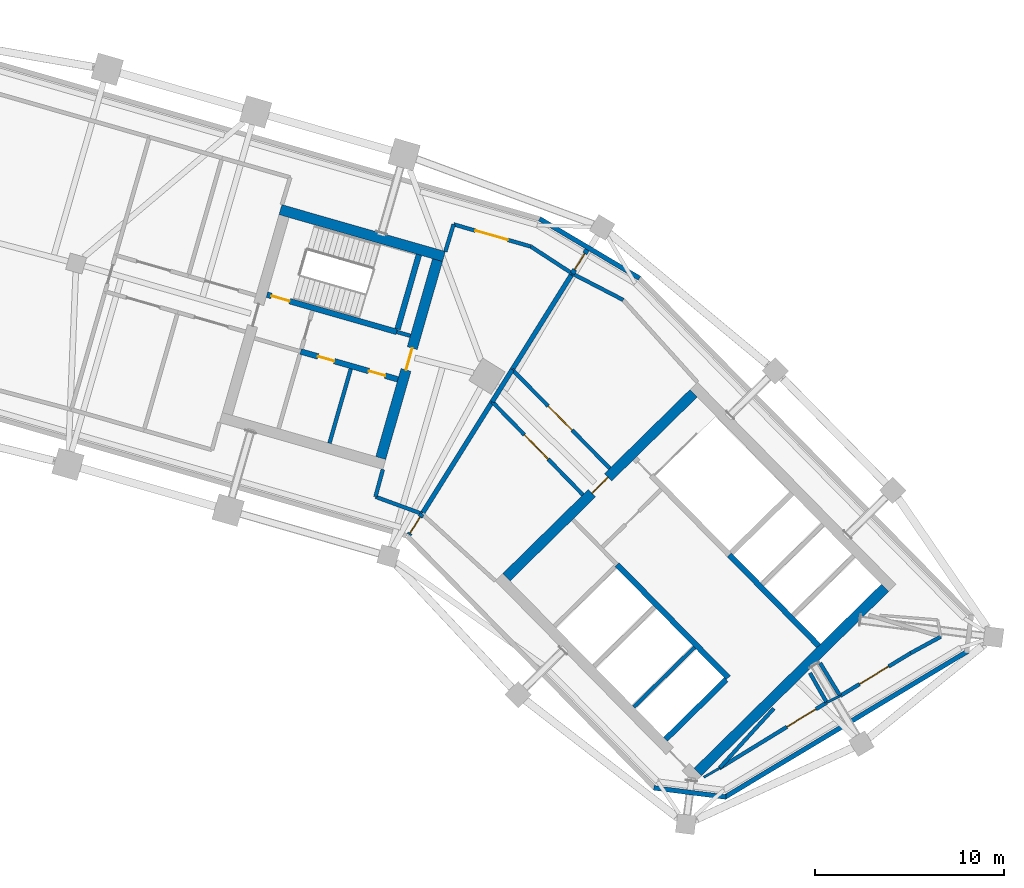
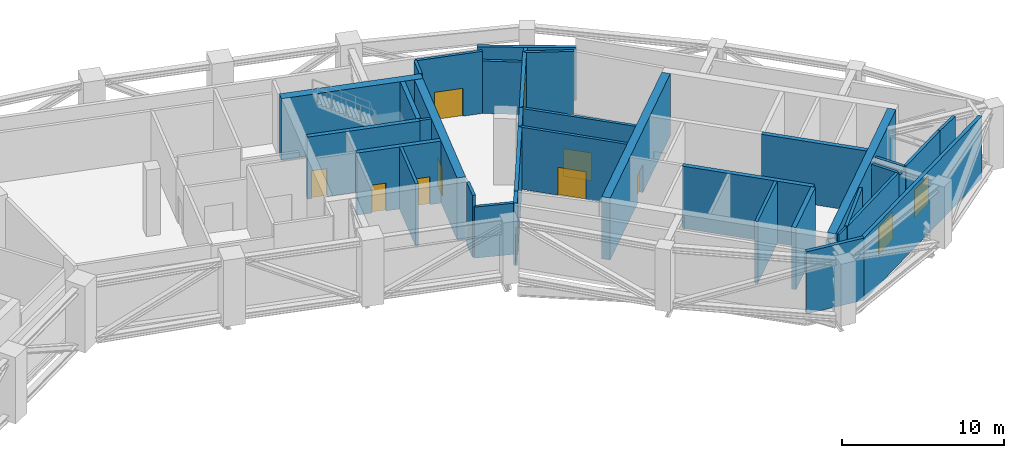
# One storey, part 12 of 16: 37 walls, 12 doors, 12 openings.
"""IFC4 building model written with IfcOpenShell, lengths in metres."""

from ifc_helpers import new_model, si_unit, direction, frame, frame_2d, origin, place, context, subcontext, project, spatial, rectangle, extrude, material, layer, layer_set, type_object, element, fill, save


model = new_model("IFC4")

# Units and contexts
model_context = context("Model", 3, precision=1e-05, world=origin(), true_north=direction((0.0, 1.0)))
body_context = subcontext(model_context, "Body", "Model", "MODEL_VIEW")
ifc_project = project(units=[si_unit("LENGTHUNIT", "METRE"), si_unit("AREAUNIT", "SQUARE_METRE"), si_unit("VOLUMEUNIT", "CUBIC_METRE"), si_unit("PLANEANGLEUNIT", "RADIAN"), si_unit("MASSUNIT", "GRAM", prefix="KILO")], contexts=[model_context])

# Site, building, storey
site_placement = place(None, origin())
site = spatial("IfcSite", under=ifc_project, at=site_placement, CompositionType="ELEMENT")
building_placement = place(site_placement, origin())
building = spatial("IfcBuilding", under=site, at=building_placement, Name="Binnacle Exchange Tower", CompositionType="ELEMENT")
storey_placement = place(building_placement, frame((0.0, 0.0, 149.89990234375)))
storey = spatial("IfcBuildingStorey", under=building, at=storey_placement, Name="L31", CompositionType="ELEMENT", Elevation=149.89990234375)

# Walls
ifc_material_1 = material(Name="Gypsum partition fire rated")
ifc_layer_1 = layer(ifc_material_1, 0.199951171875)
ifc_layer_set_1 = layer_set([ifc_layer_1], Name="Core partition 200")
wall_type_1 = type_object("IfcWallType", Name="Core partition 200", PredefinedType="PARTITIONING", material=ifc_layer_set_1)
wall_1_placement = place(storey_placement, frame((22.65087890625, 47.835205078125, 0.0), z_axis=(0.0, 0.0, 1.0), x_axis=(0.275625388668, 0.961265127383, 0.0)))
element("IfcWall", 1, at=wall_1_placement, inside=storey, type_object=wall_type_1, Name="Core wall CRWD10", PredefinedType="PARTITIONING", context=body_context, shape_type="SweptSolid", body=[
    extrude(rectangle(XDim=4.100341796875, YDim=0.199951171875, at=frame_2d((2.05029296875, 0.0))), origin(), (0.0, 0.0, 1.0), 4.68017578125),
])
ifc_material_2 = material(Name="Concrete C70/85", Category="concrete")
ifc_layer_2 = layer(ifc_material_2, 0.300048828125)
ifc_layer_set_2 = layer_set([ifc_layer_2], Name="Core wall - front 300")
wall_type_2 = type_object("IfcWallType", Name="Core wall - front 300", PredefinedType="SOLIDWALL", material=ifc_layer_set_2)
wall_2_placement = place(storey_placement, frame((37.8740234375, 41.41552734375, 0.0), z_axis=(0.0, 0.0, 1.0), x_axis=(0.700918271237, -0.71324159795, 0.0)))
element("IfcWall", 2, at=wall_2_placement, inside=storey, type_object=wall_type_2, Name="Core wall CRWB3", PredefinedType="SOLIDWALL", context=body_context, shape_type="SweptSolid", body=[
    extrude(rectangle(XDim=8.39990234375, YDim=0.300048828125, at=frame_2d((4.199951171875, 0.0))), origin(), (0.0, 0.0, 1.0), 4.68017578125),
])
wall_3_placement = place(storey_placement, frame((43.818603515625, 41.92919921875, 0.0), z_axis=(0.0, 0.0, 1.0), x_axis=(0.700931209592, -0.713228882912, 0.0)))
element("IfcWall", 3, at=wall_3_placement, inside=storey, type_object=wall_type_2, Name="Core wall CRWB5", PredefinedType="SOLIDWALL", context=body_context, shape_type="SweptSolid", body=[
    extrude(rectangle(XDim=6.75, YDim=0.300048828125, at=frame_2d((3.375, 0.0))), origin(), (0.0, 0.0, 1.0), 4.68017578125),
])
wall_4_placement = place(storey_placement, frame((40.445068359375, 32.1650390625, 0.0), z_axis=(0.0, 0.0, 1.0), x_axis=(0.713264577552, 0.700894886848, 0.0)))
element("IfcWall", 4, at=wall_4_placement, inside=storey, type_object=wall_type_2, Name="Core wall CRWB14", PredefinedType="SOLIDWALL", context=body_context, shape_type="SweptSolid", body=[
    extrude(rectangle(XDim=4.5, YDim=0.300048828125, at=frame_2d((2.25, 0.0))), origin(), (0.0, 0.0, 1.0), 4.68017578125),
])

# Wall, openings, doors
wall_5_placement = place(storey_placement, frame((21.130859375, 52.6923828125, 0.0), z_axis=(0.0, 0.0, 1.0), x_axis=(0.961265220997, -0.27562506218, 0.0)))
wall_5 = element("IfcWall", 5, at=wall_5_placement, inside=storey, type_object=wall_type_2, Name="Core wall CRWD3", PredefinedType="SOLIDWALL", context=body_context, shape_type="SweptSolid", body=[
    extrude(rectangle(XDim=5.35009765625, YDim=0.300048828125, at=frame_2d((2.675048828125, 0.0))), origin(), (0.0, 0.0, 1.0), 4.68017578125),
])
opening_1_placement = place(wall_5_placement, frame((0.949951171875, 0.0, 0.0)))
opening_1 = element("IfcOpeningElement", 6, at=opening_1_placement, cuts=wall_5, Name="Opening DD10", PredefinedType="OPENING", context=body_context, shape_type="SweptSolid", body=[
    extrude(rectangle(XDim=0.89990234375, YDim=2.10009765625, at=frame_2d((0.449951171875, 1.050048828125))), frame((0.0, 0.159912109375, 0.0), z_axis=(0.0, -1.0, 0.0), x_axis=(1.0, 0.0, 0.0)), (0.0, 0.0, 1.0), 0.320068359375),
])
opening_2_placement = place(wall_5_placement, frame((3.75, 0.0, 0.0)))
opening_2 = element("IfcOpeningElement", 7, at=opening_2_placement, cuts=wall_5, Name="Opening DD11", PredefinedType="OPENING", context=body_context, shape_type="SweptSolid", body=[
    extrude(rectangle(XDim=0.89990234375, YDim=2.10009765625, at=frame_2d((0.449951171875, 1.050048828125))), frame((0.0, 0.159912109375, 0.0), z_axis=(0.0, -1.0, 0.0), x_axis=(1.0, 0.0, 0.0)), (0.0, 0.0, 1.0), 0.320068359375),
])
ifc_material_3 = material(Name="Steel door leaf", Category="steel")
door_type_1 = type_object("IfcDoorType", Name="Fire door 900", OperationType="NOTDEFINED", PredefinedType="DOOR", material=ifc_material_3)
door_1_placement = place(opening_1_placement, frame((0.89990234375, 0.0, 0.0), z_axis=(0.0, 0.0, 1.0), x_axis=(-1.0, 0.0, 0.0)))
door_1 = element("IfcDoor", 8, at=door_1_placement, inside=storey, type_object=door_type_1, Name="Core room door COMMS RISER ROOM", OperationType="SINGLE_SWING_RIGHT", OverallHeight=2.10009765625, OverallWidth=0.89990234375, PredefinedType="DOOR", context=body_context, shape_type="SweptSolid", body=[
    extrude(rectangle(XDim=0.89990234375, YDim=2.10009765625, at=frame_2d((0.449951171875, 1.050048828125))), frame((0.0, 0.02490234375, 0.0), z_axis=(0.0, -1.0, 0.0), x_axis=(1.0, 0.0, 0.0)), (0.0, 0.0, 1.0), 0.050048828125),
])
fill(opening_1, door_1)
door_2_placement = place(opening_2_placement, frame((0.89990234375, 0.0, 0.0), z_axis=(0.0, 0.0, 1.0), x_axis=(-1.0, 0.0, 0.0)))
door_2 = element("IfcDoor", 9, at=door_2_placement, inside=storey, type_object=door_type_1, Name="Core room door CLEANERS STORE", OperationType="SINGLE_SWING_LEFT", OverallHeight=2.10009765625, OverallWidth=0.89990234375, PredefinedType="DOOR", context=body_context, shape_type="SweptSolid", body=[
    extrude(rectangle(XDim=0.89990234375, YDim=2.10009765625, at=frame_2d((0.449951171875, 1.050048828125))), frame((0.0, 0.02490234375, 0.0), z_axis=(0.0, -1.0, 0.0), x_axis=(1.0, 0.0, 0.0)), (0.0, 0.0, 1.0), 0.050048828125),
])
fill(opening_2, door_2)

# Wall, opening, door
ifc_layer_3 = layer(ifc_material_2, 0.550048828125)
ifc_layer_set_3 = layer_set([ifc_layer_3], Name="Core wall - outer 550")
wall_type_3 = type_object("IfcWallType", Name="Core wall - outer 550", PredefinedType="SOLIDWALL", material=ifc_layer_set_3)
wall_6_placement = place(storey_placement, frame((32.0166015625, 40.74169921875, 0.0), z_axis=(0.0, 0.0, 1.0), x_axis=(0.713253550094, 0.700906108746, 0.0)))
wall_6 = element("IfcWall", 10, at=wall_6_placement, inside=storey, type_object=wall_type_3, Name="Core wall CRWB7", PredefinedType="SOLIDWALL", context=body_context, shape_type="SweptSolid", body=[
    extrude(rectangle(XDim=13.900146484375, YDim=0.550048828125, at=frame_2d((6.9501953125, 0.0))), origin(), (0.0, 0.0, 1.0), 4.68017578125),
])
opening_3_placement = place(wall_6_placement, frame((6.35009765625, 0.0, 0.0)))
opening_3 = element("IfcOpeningElement", 11, at=opening_3_placement, cuts=wall_6, Name="Opening DB5", PredefinedType="OPENING", context=body_context, shape_type="SweptSolid", body=[
    extrude(rectangle(XDim=1.199951171875, YDim=2.10009765625, at=frame_2d((0.60009765625, 1.050048828125))), frame((0.0, 0.284912109375, 0.0), z_axis=(0.0, -1.0, 0.0), x_axis=(1.0, 0.0, 0.0)), (0.0, 0.0, 1.0), 0.570068359375),
])
door_type_2 = type_object("IfcDoorType", Name="Fire door 1200", OperationType="NOTDEFINED", PredefinedType="DOOR", material=ifc_material_3)
door_3_placement = place(opening_3_placement, origin())
door_3 = element("IfcDoor", 12, at=door_3_placement, inside=storey, type_object=door_type_2, Name="Vestibule exit door VEST-W", OperationType="SINGLE_SWING_RIGHT", OverallHeight=2.10009765625, OverallWidth=1.199951171875, PredefinedType="DOOR", context=body_context, shape_type="SweptSolid", body=[
    extrude(rectangle(XDim=1.199951171875, YDim=2.10009765625, at=frame_2d((0.60009765625, 1.050048828125))), frame((0.0, 0.02490234375, 0.0), z_axis=(0.0, -1.0, 0.0), x_axis=(1.0, 0.0, 0.0)), (0.0, 0.0, 1.0), 0.050048828125),
])
fill(opening_3, door_3)

# Walls
wall_7_placement = place(storey_placement, frame((42.144775390625, 30.435302734375, 0.0), z_axis=(0.0, 0.0, 1.0), x_axis=(0.713253550094, 0.700906108746, 0.0)))
element("IfcWall", 13, at=wall_7_placement, inside=storey, type_object=wall_type_3, Name="Core wall CRWB16", PredefinedType="SOLIDWALL", context=body_context, shape_type="SweptSolid", body=[
    extrude(rectangle(XDim=13.900146484375, YDim=0.550048828125, at=frame_2d((6.9501953125, 0.0))), origin(), (0.0, 0.0, 1.0), 4.68017578125),
])
wall_8_placement = place(storey_placement, frame((20.059814453125, 60.20361328125, 0.0), z_axis=(0.0, 0.0, 1.0), x_axis=(0.96126248289, -0.275634611374, 0.0)))
element("IfcWall", 14, at=wall_8_placement, inside=storey, type_object=wall_type_3, Name="Core wall CRWD6", PredefinedType="SOLIDWALL", context=body_context, shape_type="SweptSolid", body=[
    extrude(rectangle(XDim=9.0, YDim=0.550048828125, at=frame_2d((4.5, 0.0))), origin(), (0.0, 0.0, 1.0), 4.68017578125),
])

# Wall, opening, door
wall_9_placement = place(storey_placement, frame((25.366455078125, 47.056640625, 0.0), z_axis=(0.0, 0.0, 1.0), x_axis=(0.275632146085, 0.96126318979, 0.0)))
wall_9 = element("IfcWall", 15, at=wall_9_placement, inside=storey, type_object=wall_type_3, Name="Core wall CRWD12", PredefinedType="SOLIDWALL", context=body_context, shape_type="SweptSolid", body=[
    extrude(rectangle(XDim=10.89990234375, YDim=0.550048828125, at=frame_2d((5.449951171875, 0.0))), origin(), (0.0, 0.0, 1.0), 4.68017578125),
])
opening_4_placement = place(wall_9_placement, frame((4.849853515625, 0.0, 0.0)))
opening_4 = element("IfcOpeningElement", 16, at=opening_4_placement, cuts=wall_9, Name="Opening DD6", PredefinedType="OPENING", context=body_context, shape_type="SweptSolid", body=[
    extrude(rectangle(XDim=1.199951171875, YDim=2.10009765625, at=frame_2d((0.60009765625, 1.050048828125))), frame((0.0, 0.284912109375, 0.0), z_axis=(0.0, -1.0, 0.0), x_axis=(1.0, 0.0, 0.0)), (0.0, 0.0, 1.0), 0.570068359375),
])
door_4_placement = place(opening_4_placement, frame((1.199951171875, 0.0, 0.0), z_axis=(0.0, 0.0, 1.0), x_axis=(-1.0, 0.0, 0.0)))
door_4 = element("IfcDoor", 17, at=door_4_placement, inside=storey, type_object=door_type_2, Name="Core passage exit door", OperationType="SINGLE_SWING_RIGHT", OverallHeight=2.10009765625, OverallWidth=1.199951171875, PredefinedType="DOOR", context=body_context, shape_type="SweptSolid", body=[
    extrude(rectangle(XDim=1.199951171875, YDim=2.10009765625, at=frame_2d((0.60009765625, 1.050048828125))), frame((0.0, 0.02490234375, 0.0), z_axis=(0.0, -1.0, 0.0), x_axis=(1.0, 0.0, 0.0)), (0.0, 0.0, 1.0), 0.050048828125),
])
fill(opening_4, door_4)

ifc_layer_4 = layer(ifc_material_2, 0.300048828125)
ifc_layer_set_4 = layer_set([ifc_layer_4], Name="Core wall - stair 300")
wall_type_4 = type_object("IfcWallType", Name="Core wall - stair 300", PredefinedType="SOLIDWALL", material=ifc_layer_set_4)
wall_10_placement = place(storey_placement, frame((19.34130859375, 55.702392578125, 0.0), z_axis=(0.0, 0.0, 1.0), x_axis=(0.961263228157, -0.27563201228, 0.0)))
wall_10 = element("IfcWall", 18, at=wall_10_placement, inside=storey, type_object=wall_type_4, Name="Core wall CRWD4", PredefinedType="SOLIDWALL", context=body_context, shape_type="SweptSolid", body=[
    extrude(rectangle(XDim=7.149658203125, YDim=0.300048828125, at=frame_2d((3.57470703125, 0.0))), origin(), (0.0, 0.0, 1.0), 4.68017578125),
])
opening_5_placement = place(wall_10_placement, frame((0.25, 0.0, 0.0)))
opening_5 = element("IfcOpeningElement", 19, at=opening_5_placement, cuts=wall_10, Name="Opening DD1", PredefinedType="OPENING", context=body_context, shape_type="SweptSolid", body=[
    extrude(rectangle(XDim=1.0, YDim=2.10009765625, at=frame_2d((0.5, 1.050048828125))), frame((0.0, 0.159912109375, 0.0), z_axis=(0.0, -1.0, 0.0), x_axis=(1.0, 0.0, 0.0)), (0.0, 0.0, 1.0), 0.320068359375),
])
door_type_3 = type_object("IfcDoorType", Name="Fire door 1000", OperationType="NOTDEFINED", PredefinedType="DOOR", material=ifc_material_3)
door_5_placement = place(opening_5_placement, origin())
door_5 = element("IfcDoor", 20, at=door_5_placement, inside=storey, type_object=door_type_3, Name="Stair door ST-D1", OperationType="SINGLE_SWING_LEFT", OverallHeight=2.10009765625, OverallWidth=1.0, PredefinedType="DOOR", context=body_context, shape_type="SweptSolid", body=[
    extrude(rectangle(XDim=1.0, YDim=2.10009765625, at=frame_2d((0.5, 1.050048828125))), frame((0.0, 0.02490234375, 0.0), z_axis=(0.0, -1.0, 0.0), x_axis=(1.0, 0.0, 0.0)), (0.0, 0.0, 1.0), 0.050048828125),
])
fill(opening_5, door_5)

# Walls
wall_11_placement = place(storey_placement, frame((26.255615234375, 53.875732421875, 0.0), z_axis=(0.0, 0.0, 1.0), x_axis=(0.275641165445, 0.961260603537, 0.0)))
element("IfcWall", 21, at=wall_11_placement, inside=storey, type_object=wall_type_4, Name="Core wall CRWD11", PredefinedType="SOLIDWALL", context=body_context, shape_type="SweptSolid", body=[
    extrude(rectangle(XDim=4.10009765625, YDim=0.300048828125, at=frame_2d((2.050048828125, 0.0))), origin(), (0.0, 0.0, 1.0), 4.68017578125),
])
ifc_material_4 = material(Name="Bronze aluminium louvre", Category="aluminium")
ifc_layer_5 = layer(ifc_material_4, 0.25)
ifc_layer_set_5 = layer_set([ifc_layer_5], Name="External wall - plant floor louvre 250")
wall_type_5 = type_object("IfcWallType", Name="External wall - plant floor louvre 250", PredefinedType="STANDARD", material=ifc_layer_set_5)
wall_12_placement = place(storey_placement, frame((43.642578125, 29.1083984375, 0.0), z_axis=(0.0, 0.0, 1.0), x_axis=(-0.992006284618, 0.126188475223, 0.0)))
element("IfcWall", 22, at=wall_12_placement, inside=storey, type_object=wall_type_5, Name="External wall EW-Fm09 L31", PredefinedType="STANDARD", context=body_context, shape_type="SweptSolid", body=[
    extrude(rectangle(XDim=3.85009765625, YDim=0.25, at=frame_2d((1.925048828125, 0.0))), origin(), (0.0, 0.0, 1.0), 4.68017578125),
])
wall_13_placement = place(storey_placement, frame((56.44091796875, 36.829833984375, 0.0), z_axis=(0.0, 0.0, 1.0), x_axis=(-0.857162979594, -0.515045266374, 0.0)))
element("IfcWall", 23, at=wall_13_placement, inside=storey, type_object=wall_type_5, Name="External wall EW-Fm10 L31", PredefinedType="STANDARD", context=body_context, shape_type="SweptSolid", body=[
    extrude(rectangle(XDim=15.0244140625, YDim=0.25, at=frame_2d((7.51220703125, 0.0))), origin(), (0.0, 0.0, 1.0), 4.68017578125),
])
wall_14_placement = place(storey_placement, frame((33.775634765625, 59.718505859375, 0.0), z_axis=(0.0, 0.0, 1.0), x_axis=(0.859411998598, -0.511283694896, 0.0)))
element("IfcWall", 24, at=wall_14_placement, inside=storey, type_object=wall_type_5, Name="External wall EW-Fm13 L31", PredefinedType="STANDARD", context=body_context, shape_type="SweptSolid", body=[
    extrude(rectangle(XDim=6.154541015625, YDim=0.25, at=frame_2d((3.0771484375, 0.0))), origin(), (0.0, 0.0, 1.0), 3.97216796875),
])
ifc_material_5 = material(Name="Masonry block wall", Category="masonry")
ifc_layer_6 = layer(ifc_material_5, 0.199951171875)
ifc_layer_set_6 = layer_set([ifc_layer_6], Name="Fire wall - block 200")
wall_type_6 = type_object("IfcWallType", Name="Fire wall - block 200", PredefinedType="PARTITIONING", material=ifc_layer_set_6)
wall_15_placement = place(storey_placement, frame((25.087890625, 45.00390625, 0.0), z_axis=(0.0, 0.0, 1.0), x_axis=(0.260761429939, 0.965403271517, 0.0)))
element("IfcWall", 25, at=wall_15_placement, inside=storey, type_object=wall_type_6, Name="Partition W56", PredefinedType="PARTITIONING", context=body_context, shape_type="SweptSolid", body=[
    extrude(rectangle(XDim=1.5, YDim=0.199951171875, at=frame_2d((0.75, 0.0))), origin(), (0.0, 0.0, 1.0), 4.68017578125),
])
wall_16_placement = place(storey_placement, frame((25.087890625, 45.00390625, 0.0), z_axis=(0.0, 0.0, 1.0), x_axis=(0.93889532653, -0.344202797519, 0.0)))
element("IfcWall", 26, at=wall_16_placement, inside=storey, type_object=wall_type_6, Name="Partition W57", PredefinedType="PARTITIONING", context=body_context, shape_type="SweptSolid", body=[
    extrude(rectangle(XDim=2.628662109375, YDim=0.199951171875, at=frame_2d((1.314453125, 0.0))), origin(), (0.0, 0.0, 1.0), 3.85205078125),
])
wall_17_placement = place(storey_placement, frame((28.787109375, 57.987060546875, 0.0), z_axis=(0.0, 0.0, 1.0), x_axis=(0.290391164202, 0.9569080268, 0.0)))
element("IfcWall", 27, at=wall_17_placement, inside=storey, type_object=wall_type_6, Name="Partition W61", PredefinedType="PARTITIONING", context=body_context, shape_type="SweptSolid", body=[
    extrude(rectangle(XDim=1.500732421875, YDim=0.199951171875, at=frame_2d((0.75048828125, 0.0))), origin(), (0.0, 0.0, 1.0), 4.68017578125),
])

# Wall, opening, door
wall_18_placement = place(storey_placement, frame((29.222900390625, 59.423095703125, 0.0), z_axis=(0.0, 0.0, 1.0), x_axis=(0.961217704803, -0.27579072496, 0.0)))
wall_18 = element("IfcWall", 28, at=wall_18_placement, inside=storey, type_object=wall_type_6, Name="Partition W62", PredefinedType="PARTITIONING", context=body_context, shape_type="SweptSolid", body=[
    extrude(rectangle(XDim=4.25, YDim=0.199951171875, at=frame_2d((2.125, 0.0))), origin(), (0.0, 0.0, 1.0), 4.68017578125),
])
opening_6_placement = place(wall_18_placement, frame((1.199951171875, 0.0, 0.0)))
opening_6 = element("IfcOpeningElement", 29, at=opening_6_placement, cuts=wall_18, Name="Opening DL31-16", PredefinedType="OPENING", context=body_context, shape_type="SweptSolid", body=[
    extrude(rectangle(XDim=1.800048828125, YDim=2.10009765625, at=frame_2d((0.89990234375, 1.050048828125))), frame((0.0, 0.10986328125, 0.0), z_axis=(0.0, -1.0, 0.0), x_axis=(1.0, 0.0, 0.0)), (0.0, 0.0, 1.0), 0.219970703125),
])
door_type_4 = type_object("IfcDoorType", Name="Fire door 1800", OperationType="NOTDEFINED", PredefinedType="DOOR", material=ifc_material_3)
door_6_placement = place(opening_6_placement, frame((1.800048828125, 0.0, 0.0), z_axis=(0.0, 0.0, 1.0), x_axis=(-1.0, 0.0, 0.0)))
door_6 = element("IfcDoor", 30, at=door_6_placement, inside=storey, type_object=door_type_4, Name="Door DL31-16", OperationType="DOUBLE_DOOR_SINGLE_SWING", OverallHeight=2.10009765625, OverallWidth=1.800048828125, PredefinedType="DOOR", context=body_context, shape_type="SweptSolid", body=[
    extrude(rectangle(XDim=1.800048828125, YDim=2.10009765625, at=frame_2d((0.89990234375, 1.050048828125))), frame((0.0, 0.02490234375, 0.0), z_axis=(0.0, -1.0, 0.0), x_axis=(1.0, 0.0, 0.0)), (0.0, 0.0, 1.0), 0.050048828125),
])
fill(opening_6, door_6)

wall_19_placement = place(storey_placement, frame((31.264892578125, 50.034912109375, 0.0), z_axis=(0.0, 0.0, 1.0), x_axis=(0.698055115478, -0.716044031995, 0.0)))
wall_19 = element("IfcWall", 31, at=wall_19_placement, inside=storey, type_object=wall_type_6, Name="Partition W64", PredefinedType="PARTITIONING", context=body_context, shape_type="SweptSolid", body=[
    extrude(rectangle(XDim=6.880859375, YDim=0.199951171875, at=frame_2d((3.4404296875, 0.0))), origin(), (0.0, 0.0, 1.0), 4.68017578125),
])
opening_7_placement = place(wall_19_placement, frame((2.449951171875, 0.0, 0.0)))
opening_7 = element("IfcOpeningElement", 32, at=opening_7_placement, cuts=wall_19, Name="Opening DL31-18", PredefinedType="OPENING", context=body_context, shape_type="SweptSolid", body=[
    extrude(rectangle(XDim=1.800048828125, YDim=2.10009765625, at=frame_2d((0.89990234375, 1.050048828125))), frame((0.0, 0.10986328125, 0.0), z_axis=(0.0, -1.0, 0.0), x_axis=(1.0, 0.0, 0.0)), (0.0, 0.0, 1.0), 0.219970703125),
])
door_7_placement = place(opening_7_placement, frame((1.800048828125, 0.0, 0.0), z_axis=(0.0, 0.0, 1.0), x_axis=(-1.0, 0.0, 0.0)))
door_7 = element("IfcDoor", 33, at=door_7_placement, inside=storey, type_object=door_type_4, Name="Door DL31-18", OperationType="DOUBLE_DOOR_SINGLE_SWING", OverallHeight=2.10009765625, OverallWidth=1.800048828125, PredefinedType="DOOR", context=body_context, shape_type="SweptSolid", body=[
    extrude(rectangle(XDim=1.800048828125, YDim=2.10009765625, at=frame_2d((0.89990234375, 1.050048828125))), frame((0.0, 0.02490234375, 0.0), z_axis=(0.0, -1.0, 0.0), x_axis=(1.0, 0.0, 0.0)), (0.0, 0.0, 1.0), 0.050048828125),
])
fill(opening_7, door_7)

wall_20_placement = place(storey_placement, frame((32.324951171875, 51.73095703125, 0.0), z_axis=(0.0, 0.0, 1.0), x_axis=(0.703558862732, -0.710636986563, 0.0)))
wall_20 = element("IfcWall", 34, at=wall_20_placement, inside=storey, type_object=wall_type_6, Name="Partition W66", PredefinedType="PARTITIONING", context=body_context, shape_type="SweptSolid", body=[
    extrude(rectangle(XDim=7.346923828125, YDim=0.199951171875, at=frame_2d((3.67333984375, 0.0))), origin(), (0.0, 0.0, 1.0), 4.68017578125),
])
opening_8_placement = place(wall_20_placement, frame((2.699951171875, 0.0, 0.0)))
opening_8 = element("IfcOpeningElement", 35, at=opening_8_placement, cuts=wall_20, Name="Opening DL31-17", PredefinedType="OPENING", context=body_context, shape_type="SweptSolid", body=[
    extrude(rectangle(XDim=1.800048828125, YDim=2.10009765625, at=frame_2d((0.89990234375, 1.050048828125))), frame((0.0, 0.10986328125, 0.0), z_axis=(0.0, -1.0, 0.0), x_axis=(1.0, 0.0, 0.0)), (0.0, 0.0, 1.0), 0.219970703125),
])
door_8_placement = place(opening_8_placement, origin())
door_8 = element("IfcDoor", 36, at=door_8_placement, inside=storey, type_object=door_type_4, Name="Door DL31-17", OperationType="DOUBLE_DOOR_SINGLE_SWING", OverallHeight=2.10009765625, OverallWidth=1.800048828125, PredefinedType="DOOR", context=body_context, shape_type="SweptSolid", body=[
    extrude(rectangle(XDim=1.800048828125, YDim=2.10009765625, at=frame_2d((0.89990234375, 1.050048828125))), frame((0.0, 0.02490234375, 0.0), z_axis=(0.0, -1.0, 0.0), x_axis=(1.0, 0.0, 0.0)), (0.0, 0.0, 1.0), 0.050048828125),
])
fill(opening_8, door_8)

# Walls
wall_21_placement = place(storey_placement, frame((33.30810546875, 58.2509765625, 0.0), z_axis=(0.0, 0.0, 1.0), x_axis=(0.837749484824, -0.546054759779, 0.0)))
element("IfcWall", 37, at=wall_21_placement, inside=storey, type_object=wall_type_6, Name="Partition W67", PredefinedType="PARTITIONING", context=body_context, shape_type="SweptSolid", body=[
    extrude(rectangle(XDim=2.622314453125, YDim=0.199951171875, at=frame_2d((1.31103515625, 0.0))), origin(), (0.0, 0.0, 1.0), 3.9521484375),
])
wall_22_placement = place(storey_placement, frame((35.5048828125, 56.819091796875, 0.0), z_axis=(0.0, 0.0, 1.0), x_axis=(0.887881146957, -0.460072895179, 0.0)))
element("IfcWall", 38, at=wall_22_placement, inside=storey, type_object=wall_type_6, Name="Partition W69", PredefinedType="PARTITIONING", context=body_context, shape_type="SweptSolid", body=[
    extrude(rectangle(XDim=3.0341796875, YDim=0.199951171875, at=frame_2d((1.51708984375, 0.0))), origin(), (0.0, 0.0, 1.0), 4.68017578125),
])

# Wall, opening, door
wall_23_placement = place(storey_placement, frame((43.285888671875, 30.62890625, 0.0), z_axis=(0.0, 0.0, 1.0), x_axis=(0.852618082173, 0.522534597852, 0.0)))
wall_23 = element("IfcWall", 39, at=wall_23_placement, inside=storey, type_object=wall_type_6, Name="Partition W72", PredefinedType="PARTITIONING", context=body_context, shape_type="SweptSolid", body=[
    extrude(rectangle(XDim=6.67138671875, YDim=0.199951171875, at=frame_2d((3.335693359375, 0.0))), origin(), (0.0, 0.0, 1.0), 4.68017578125),
])
opening_9_placement = place(wall_23_placement, frame((4.199951171875, 0.0, 0.0)))
opening_9 = element("IfcOpeningElement", 40, at=opening_9_placement, cuts=wall_23, Name="Opening DL31-21", PredefinedType="OPENING", context=body_context, shape_type="SweptSolid", body=[
    extrude(rectangle(XDim=1.800048828125, YDim=2.10009765625, at=frame_2d((0.89990234375, 1.050048828125))), frame((0.0, 0.10986328125, 0.0), z_axis=(0.0, -1.0, 0.0), x_axis=(1.0, 0.0, 0.0)), (0.0, 0.0, 1.0), 0.219970703125),
])
door_9_placement = place(opening_9_placement, origin())
door_9 = element("IfcDoor", 41, at=door_9_placement, inside=storey, type_object=door_type_4, Name="Door DL31-21", OperationType="DOUBLE_DOOR_SINGLE_SWING", OverallHeight=2.10009765625, OverallWidth=1.800048828125, PredefinedType="DOOR", context=body_context, shape_type="SweptSolid", body=[
    extrude(rectangle(XDim=1.800048828125, YDim=2.10009765625, at=frame_2d((0.89990234375, 1.050048828125))), frame((0.0, 0.02490234375, 0.0), z_axis=(0.0, -1.0, 0.0), x_axis=(1.0, 0.0, 0.0)), (0.0, 0.0, 1.0), 0.050048828125),
])
fill(opening_9, door_9)

# Walls
wall_24_placement = place(storey_placement, frame((43.31689453125, 30.6630859375, 0.0), z_axis=(0.0, 0.0, 1.0), x_axis=(0.673505359067, 0.739182339689, 0.0)))
element("IfcWall", 42, at=wall_24_placement, inside=storey, type_object=wall_type_6, Name="Partition W73", PredefinedType="PARTITIONING", context=body_context, shape_type="SweptSolid", body=[
    extrude(rectangle(XDim=4.2451171875, YDim=0.199951171875, at=frame_2d((2.12255859375, 0.0))), origin(), (0.0, 0.0, 1.0), 4.68017578125),
])
wall_25_placement = place(storey_placement, frame((48.0849609375, 35.677001953125, 0.0), z_axis=(0.0, 0.0, 1.0), x_axis=(0.494821324482, -0.868994739246, 0.0)))
element("IfcWall", 43, at=wall_25_placement, inside=storey, type_object=wall_type_6, Name="Partition W74", PredefinedType="PARTITIONING", context=body_context, shape_type="SweptSolid", body=[
    extrude(rectangle(XDim=1.776611328125, YDim=0.199951171875, at=frame_2d((0.88818359375, 0.0))), origin(), (0.0, 0.0, 1.0), 4.68017578125),
])
wall_26_placement = place(storey_placement, frame((48.623046875, 36.2060546875, 0.0), z_axis=(0.0, 0.0, 1.0), x_axis=(0.519728419687, -0.854331533873, 0.0)))
element("IfcWall", 44, at=wall_26_placement, inside=storey, type_object=wall_type_6, Name="Partition W75", PredefinedType="PARTITIONING", context=body_context, shape_type="SweptSolid", body=[
    extrude(rectangle(XDim=2.020263671875, YDim=0.199951171875, at=frame_2d((1.01025390625, 0.0))), origin(), (0.0, 0.0, 1.0), 4.68017578125),
])

# Wall, opening, door
wall_27_placement = place(storey_placement, frame((49.68408203125, 34.462890625, 0.0), z_axis=(0.0, 0.0, 1.0), x_axis=(0.854856618014, 0.518864300794, 0.0)))
wall_27 = element("IfcWall", 45, at=wall_27_placement, inside=storey, type_object=wall_type_6, Name="Partition W77", PredefinedType="PARTITIONING", context=body_context, shape_type="SweptSolid", body=[
    extrude(rectangle(XDim=4.365478515625, YDim=0.199951171875, at=frame_2d((2.1826171875, 0.0))), origin(), (0.0, 0.0, 1.0), 4.68017578125),
])
opening_10_placement = place(wall_27_placement, frame((1.199951171875, 0.0, 0.0)))
opening_10 = element("IfcOpeningElement", 46, at=opening_10_placement, cuts=wall_27, Name="Opening DL31-19", PredefinedType="OPENING", context=body_context, shape_type="SweptSolid", body=[
    extrude(rectangle(XDim=1.800048828125, YDim=2.10009765625, at=frame_2d((0.89990234375, 1.050048828125))), frame((0.0, 0.10986328125, 0.0), z_axis=(0.0, -1.0, 0.0), x_axis=(1.0, 0.0, 0.0)), (0.0, 0.0, 1.0), 0.219970703125),
])
door_10_placement = place(opening_10_placement, origin())
door_10 = element("IfcDoor", 47, at=door_10_placement, inside=storey, type_object=door_type_4, Name="Door DL31-19", OperationType="DOUBLE_DOOR_SINGLE_SWING", OverallHeight=2.10009765625, OverallWidth=1.800048828125, PredefinedType="DOOR", context=body_context, shape_type="SweptSolid", body=[
    extrude(rectangle(XDim=1.800048828125, YDim=2.10009765625, at=frame_2d((0.89990234375, 1.050048828125))), frame((0.0, 0.02490234375, 0.0), z_axis=(0.0, -1.0, 0.0), x_axis=(1.0, 0.0, 0.0)), (0.0, 0.0, 1.0), 0.050048828125),
])
fill(opening_10, door_10)

# Wall
wall_28_placement = place(storey_placement, frame((53.416015625, 36.72802734375, 0.0), z_axis=(0.0, 0.0, 1.0), x_axis=(0.878412781822, 0.47790269379, 0.0)))
element("IfcWall", 48, at=wall_28_placement, inside=storey, type_object=wall_type_6, Name="Partition W80", PredefinedType="PARTITIONING", context=body_context, shape_type="SweptSolid", body=[
    extrude(rectangle(XDim=1.820068359375, YDim=0.199951171875, at=frame_2d((0.91015625, 0.0))), origin(), (0.0, 0.0, 1.0), 4.68017578125),
])

# Wall, opening, door
ifc_material_6 = material(Name="Concrete fire wall C30/37", Category="concrete")
ifc_layer_7 = layer(ifc_material_6, 0.25)
ifc_layer_set_7 = layer_set([ifc_layer_7], Name="Fire wall - compartment 250")
wall_type_7 = type_object("IfcWallType", Name="Fire wall - compartment 250", PredefinedType="PARTITIONING", material=ifc_layer_set_7)
wall_29_placement = place(storey_placement, frame((26.866943359375, 42.99609375, 0.0), z_axis=(0.0, 0.0, 1.0), x_axis=(0.529762680017, 0.848145920736, 0.0)))
wall_29 = element("IfcWall", 49, at=wall_29_placement, inside=storey, type_object=wall_type_7, Name="Fire Wall W58", PredefinedType="PARTITIONING", context=body_context, shape_type="SweptSolid", body=[
    extrude(rectangle(XDim=1.300537109375, YDim=0.25, at=frame_2d((0.650390625, 0.0))), origin(), (0.0, 0.0, 1.0), 4.68017578125),
])
opening_11_placement = place(wall_29_placement, frame((0.10009765625, 0.0, 0.0)))
opening_11 = element("IfcOpeningElement", 50, at=opening_11_placement, cuts=wall_29, Name="Opening DL31-24", PredefinedType="OPENING", context=body_context, shape_type="SweptSolid", body=[
    extrude(rectangle(XDim=1.0, YDim=2.10009765625, at=frame_2d((0.5, 1.050048828125))), frame((0.0, 0.135009765625, 0.0), z_axis=(0.0, -1.0, 0.0), x_axis=(1.0, 0.0, 0.0)), (0.0, 0.0, 1.0), 0.27001953125),
])
door_11_placement = place(opening_11_placement, origin())
door_11 = element("IfcDoor", 51, at=door_11_placement, inside=storey, type_object=door_type_3, Name="Door DL31-24", OperationType="SINGLE_SWING_LEFT", OverallHeight=2.10009765625, OverallWidth=1.0, PredefinedType="DOOR", context=body_context, shape_type="SweptSolid", body=[
    extrude(rectangle(XDim=1.0, YDim=2.10009765625, at=frame_2d((0.5, 1.050048828125))), frame((0.0, 0.02490234375, 0.0), z_axis=(0.0, -1.0, 0.0), x_axis=(1.0, 0.0, 0.0)), (0.0, 0.0, 1.0), 0.050048828125),
])
fill(opening_11, door_11)

# Walls
wall_30_placement = place(storey_placement, frame((27.555908203125, 44.09912109375, 0.0), z_axis=(0.0, 0.0, 1.0), x_axis=(0.529908011914, 0.848055127282, 0.0)))
element("IfcWall", 52, at=wall_30_placement, inside=storey, type_object=wall_type_7, Name="Fire Wall W59", PredefinedType="PARTITIONING", context=body_context, shape_type="SweptSolid", body=[
    extrude(rectangle(XDim=6.999267578125, YDim=0.25, at=frame_2d((3.49951171875, 0.0))), origin(), (0.0, 0.0, 1.0), 4.68017578125),
])
wall_31_placement = place(storey_placement, frame((31.264892578125, 50.034912109375, 0.0), z_axis=(0.0, 0.0, 1.0), x_axis=(0.53000991217, 0.847991446302, 0.0)))
element("IfcWall", 53, at=wall_31_placement, inside=storey, type_object=wall_type_7, Name="Fire Wall W63", PredefinedType="PARTITIONING", context=body_context, shape_type="SweptSolid", body=[
    extrude(rectangle(XDim=2.0, YDim=0.25, at=frame_2d((1.0, 0.0))), origin(), (0.0, 0.0, 1.0), 4.68017578125),
])
wall_32_placement = place(storey_placement, frame((32.324951171875, 51.73095703125, 0.0), z_axis=(0.0, 0.0, 1.0), x_axis=(0.529980652467, 0.848009733441, 0.0)))
element("IfcWall", 54, at=wall_32_placement, inside=storey, type_object=wall_type_7, Name="Fire Wall W65", PredefinedType="PARTITIONING", context=body_context, shape_type="SweptSolid", body=[
    extrude(rectangle(XDim=6.0, YDim=0.25, at=frame_2d((3.0, 0.0))), origin(), (0.0, 0.0, 1.0), 4.68017578125),
])

# Wall, opening, door
wall_33_placement = place(storey_placement, frame((35.5048828125, 56.819091796875, 0.0), z_axis=(0.0, 0.0, 1.0), x_axis=(0.529998940003, 0.847998304005, 0.0)))
wall_33 = element("IfcWall", 55, at=wall_33_placement, inside=storey, type_object=wall_type_7, Name="Fire Wall W68", PredefinedType="PARTITIONING", context=body_context, shape_type="SweptSolid", body=[
    extrude(rectangle(XDim=1.483154296875, YDim=0.25, at=frame_2d((0.74169921875, 0.0))), origin(), (0.0, 0.0, 1.0), 3.9521484375),
])
opening_12_placement = place(wall_33_placement, frame((0.25, 0.0, 0.0)))
opening_12 = element("IfcOpeningElement", 56, at=opening_12_placement, cuts=wall_33, Name="Opening DL31-25", PredefinedType="OPENING", context=body_context, shape_type="SweptSolid", body=[
    extrude(rectangle(XDim=1.0, YDim=2.10009765625, at=frame_2d((0.5, 1.050048828125))), frame((0.0, 0.135009765625, 0.0), z_axis=(0.0, -1.0, 0.0), x_axis=(1.0, 0.0, 0.0)), (0.0, 0.0, 1.0), 0.27001953125),
])
door_12_placement = place(opening_12_placement, origin())
door_12 = element("IfcDoor", 57, at=door_12_placement, inside=storey, type_object=door_type_3, Name="Door DL31-25", OperationType="SINGLE_SWING_RIGHT", OverallHeight=2.10009765625, OverallWidth=1.0, PredefinedType="DOOR", context=body_context, shape_type="SweptSolid", body=[
    extrude(rectangle(XDim=1.0, YDim=2.10009765625, at=frame_2d((0.5, 1.050048828125))), frame((0.0, 0.02490234375, 0.0), z_axis=(0.0, -1.0, 0.0), x_axis=(1.0, 0.0, 0.0)), (0.0, 0.0, 1.0), 0.050048828125),
])
fill(opening_12, door_12)

# Walls
ifc_material_7 = material(Name="Gypsum partition")
ifc_layer_8 = layer(ifc_material_7, 0.125)
ifc_layer_set_8 = layer_set([ifc_layer_8], Name="Partition 125")
wall_type_8 = type_object("IfcWallType", Name="Partition 125", PredefinedType="PARTITIONING", material=ifc_layer_set_8)
wall_34_placement = place(storey_placement, frame((42.466064453125, 30.155029296875, 0.0), z_axis=(0.0, 0.0, 1.0), x_axis=(0.865942754999, 0.50014312458, 0.0)))
element("IfcWall", 58, at=wall_34_placement, inside=storey, type_object=wall_type_8, Name="Partition W71", PredefinedType="PARTITIONING", context=body_context, shape_type="SweptSolid", body=[
    extrude(rectangle(XDim=0.937744140625, YDim=0.125, at=frame_2d((0.46875, 0.0))), origin(), (0.0, 0.0, 1.0), 4.68017578125),
])
wall_35_placement = place(storey_placement, frame((48.98291015625, 34.1201171875, 0.0), z_axis=(0.0, 0.0, 1.0), x_axis=(0.898634361746, 0.43869839741, 0.0)))
element("IfcWall", 59, at=wall_35_placement, inside=storey, type_object=wall_type_8, Name="Partition W76", PredefinedType="PARTITIONING", context=body_context, shape_type="SweptSolid", body=[
    extrude(rectangle(XDim=0.770263671875, YDim=0.125, at=frame_2d((0.38525390625, 0.0))), origin(), (0.0, 0.0, 1.0), 4.4111328125),
])
ifc_layer_9 = layer(ifc_material_5, 0.199951171875)
ifc_layer_set_9 = layer_set([ifc_layer_9], Name="Riser wall 200")
wall_type_9 = type_object("IfcWallType", Name="Riser wall 200", PredefinedType="SOLIDWALL", material=ifc_layer_set_9)
wall_36_placement = place(storey_placement, frame((26.214111328125, 53.731689453125, 0.0), z_axis=(0.0, 0.0, 1.0), x_axis=(0.961240918172, -0.275709806194, 0.0)))
element("IfcWall", 60, at=wall_36_placement, inside=storey, type_object=wall_type_9, Name="Core wall CRWD5", PredefinedType="SOLIDWALL", context=body_context, shape_type="SweptSolid", body=[
    extrude(rectangle(XDim=0.75, YDim=0.199951171875, at=frame_2d((0.375, 0.0))), origin(), (0.0, 0.0, 1.0), 4.68017578125),
])
ifc_layer_10 = layer(ifc_material_5, 0.199951171875)
ifc_layer_set_10 = layer_set([ifc_layer_10], Name="Shaft wall 200")
wall_type_10 = type_object("IfcWallType", Name="Shaft wall 200", PredefinedType="SOLIDWALL", material=ifc_layer_set_10)
wall_37_placement = place(storey_placement, frame((38.762939453125, 33.876708984375, 0.0), z_axis=(0.0, 0.0, 1.0), x_axis=(0.713237455685, 0.700922486305, 0.0)))
element("IfcWall", 61, at=wall_37_placement, inside=storey, type_object=wall_type_10, Name="Core wall CRWB12", PredefinedType="SOLIDWALL", context=body_context, shape_type="SweptSolid", body=[
    extrude(rectangle(XDim=4.500244140625, YDim=0.199951171875, at=frame_2d((2.25, 0.0))), origin(), (0.0, 0.0, 1.0), 4.68017578125),
])

save(model, "model.ifc")
